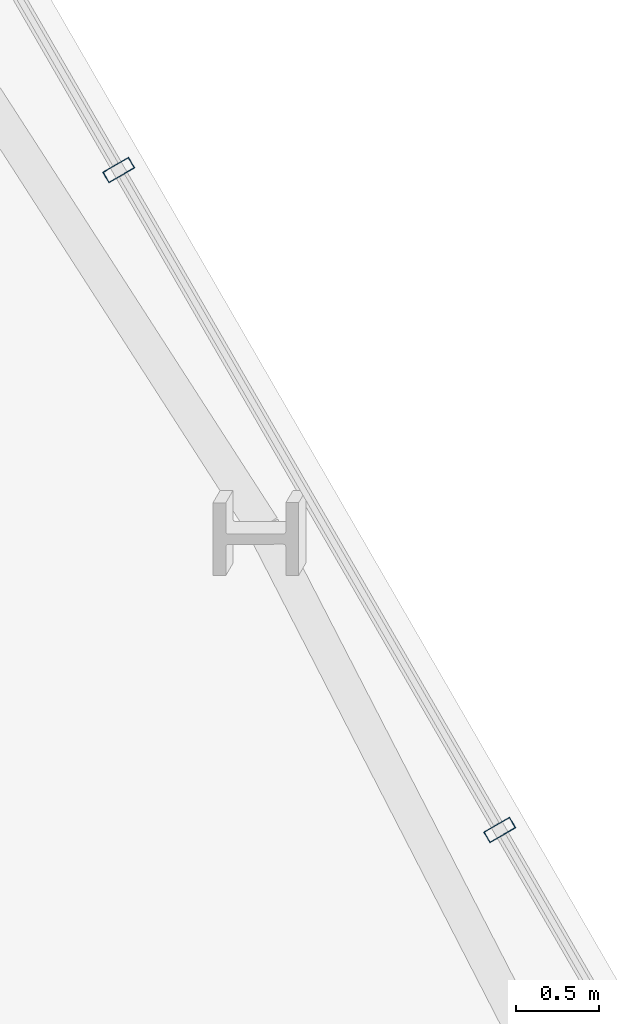
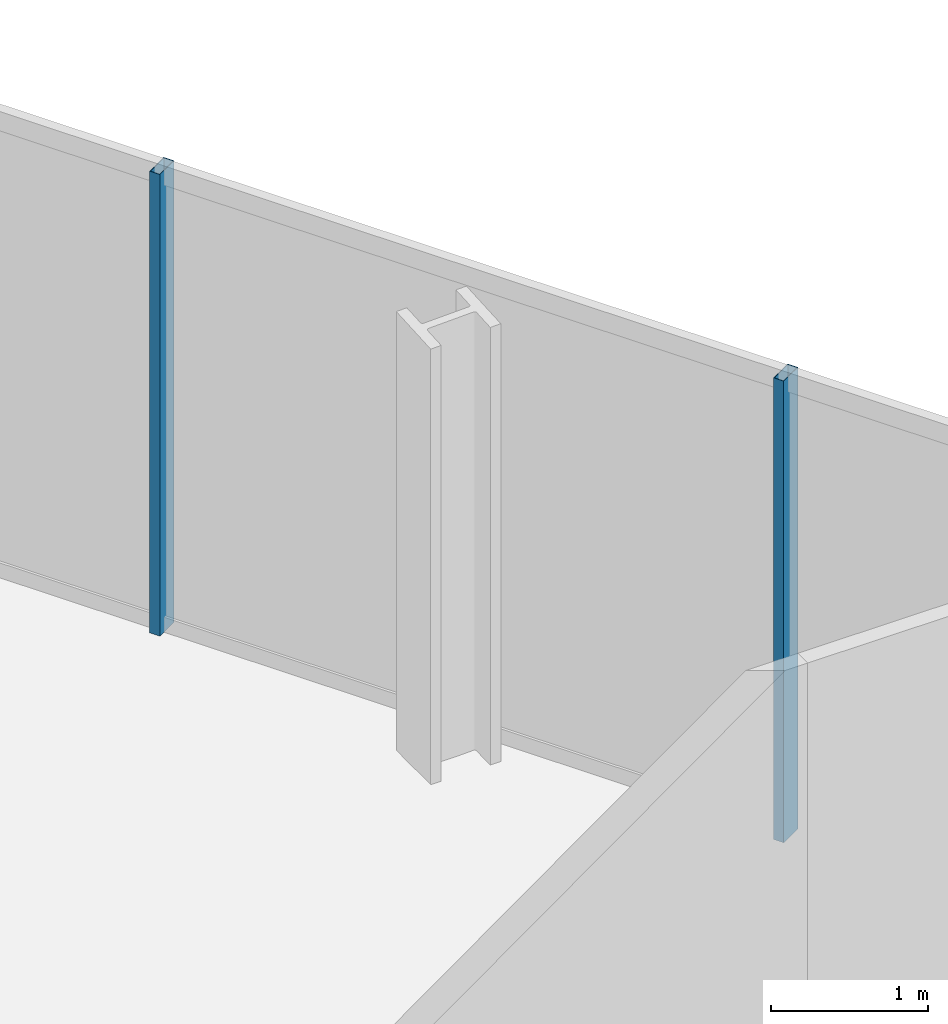
# One storey, part 21 of 32: 2 members, 1 element without a shape of its own.
"""IFC4 building model written with IfcOpenShell, lengths in metres."""

from ifc_helpers import new_model, si_unit, direction, frame, origin, origin_2d, place, context, subcontext, project, spatial, hollow_rectangle, extrude, material, layer, layer_set, material_profile, profile_set, type_object, element, aggregate, save


model = new_model("IFC4")

# Units and contexts
model_context = context("Model", 3, precision=1e-05, world=origin(), true_north=direction((0.0, 1.0)))
body_context = subcontext(model_context, "Body", "Model", "MODEL_VIEW")
ifc_project = project(units=[si_unit("LENGTHUNIT", "METRE"), si_unit("AREAUNIT", "SQUARE_METRE"), si_unit("VOLUMEUNIT", "CUBIC_METRE"), si_unit("PLANEANGLEUNIT", "RADIAN"), si_unit("MASSUNIT", "GRAM", prefix="KILO")], contexts=[model_context])

# Site, building, storey
site_placement = place(None, origin())
site = spatial("IfcSite", under=ifc_project, at=site_placement, CompositionType="ELEMENT")
building_placement = place(site_placement, origin())
building = spatial("IfcBuilding", under=site, at=building_placement, Name="Ndaravel Arena Tower", CompositionType="ELEMENT")
storey_placement = place(building_placement, frame((0.0, 0.0, 77.800048828125)))
storey = spatial("IfcBuildingStorey", under=building, at=storey_placement, Name="L17", CompositionType="ELEMENT", Elevation=77.800048828125)

# Curtain wall, members
ifc_material_1 = material(Name="Aluminium", Category="aluminium")
ifc_layer = layer(ifc_material_1, 0.179931640625)
ifc_layer_set = layer_set([ifc_layer], Name="Aluminium")
curtain_wall_type = type_object("IfcCurtainWallType", Name="CW-SYS-03", PredefinedType="NOTDEFINED", material=ifc_layer_set)
curtain_wall_placement = place(storey_placement, origin())
curtain_wall = element("IfcCurtainWall", 1, at=curtain_wall_placement, inside=storey, type_object=curtain_wall_type, Name="L17 Faceted Crystal Curtain Wall CW-L17-E03", PredefinedType="NOTDEFINED")
ifc_material_2 = material(Name="Aluminium", Category="aluminium")
ifc_material_profile = material_profile(ifc_material_2, hollow_rectangle(XDim=0.074951171875, YDim=0.179931640625, WallThickness=0.00390625, at=origin_2d()), Name="CW MULLION 75x180x4")
ifc_profile_set = profile_set([ifc_material_profile], Name="Aluminium")
member_type = type_object("IfcMemberType", Name="MEM-CW-MUL180", PredefinedType="MULLION", material=ifc_profile_set)
member_1_placement = place(storey_placement, frame((58.637939453125, 30.014892578125, 0.0), z_axis=(0.0, 0.0, 1.0), x_axis=(-0.5, 0.866025403784, 0.0)))
member_1 = element("IfcMember", 2, at=member_1_placement, type_object=member_type, Name="CW-L17-E03 Mullion 03", PredefinedType="MULLION", context=body_context, shape_type="SweptSolid", body=[
    extrude(hollow_rectangle(XDim=0.074951171875, YDim=0.179931640625, WallThickness=0.00390625, at=origin_2d()), origin(), (0.0, 0.0, 1.0), 3.579833984375),
])
member_2_placement = place(storey_placement, frame((56.35009765625, 33.977783203125, 0.0), z_axis=(0.0, 0.0, 1.0), x_axis=(-0.5, 0.866025403784, 0.0)))
member_2 = element("IfcMember", 3, at=member_2_placement, type_object=member_type, Name="CW-L17-E03 Mullion 04", PredefinedType="MULLION", context=body_context, shape_type="SweptSolid", body=[
    extrude(hollow_rectangle(XDim=0.074951171875, YDim=0.179931640625, WallThickness=0.00390625, at=origin_2d()), origin(), (0.0, 0.0, 1.0), 3.579833984375),
])
aggregate(curtain_wall, [member_1, member_2])

save(model, "model.ifc")
